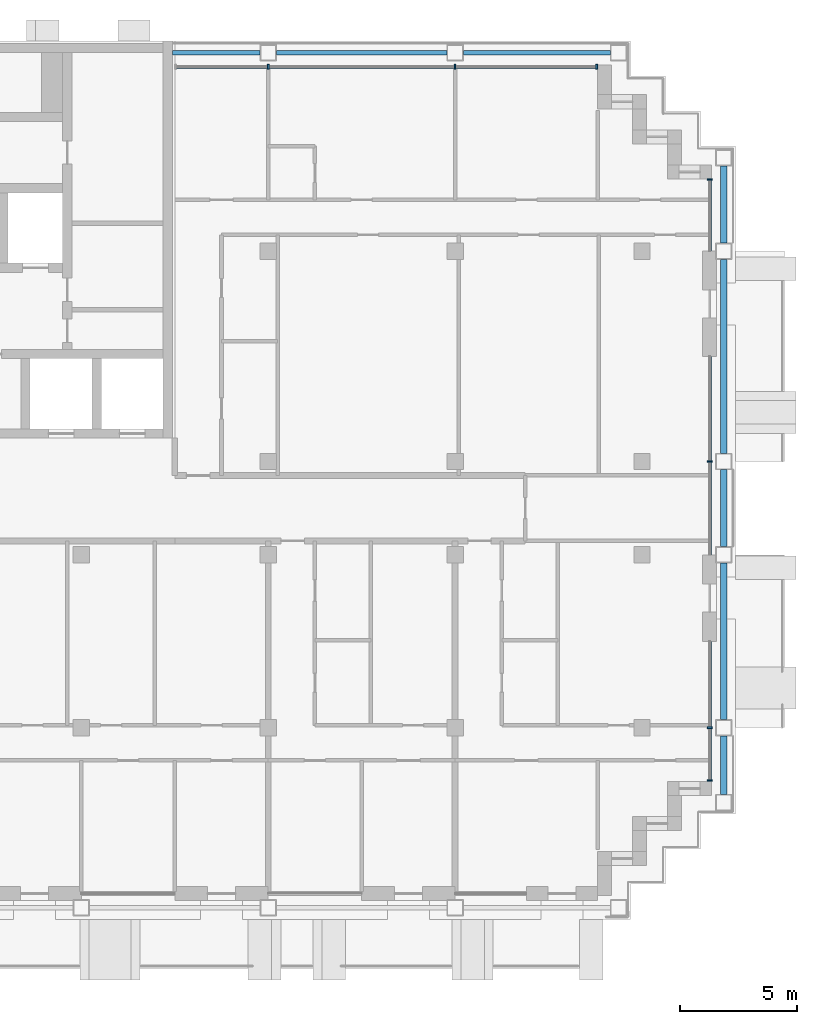
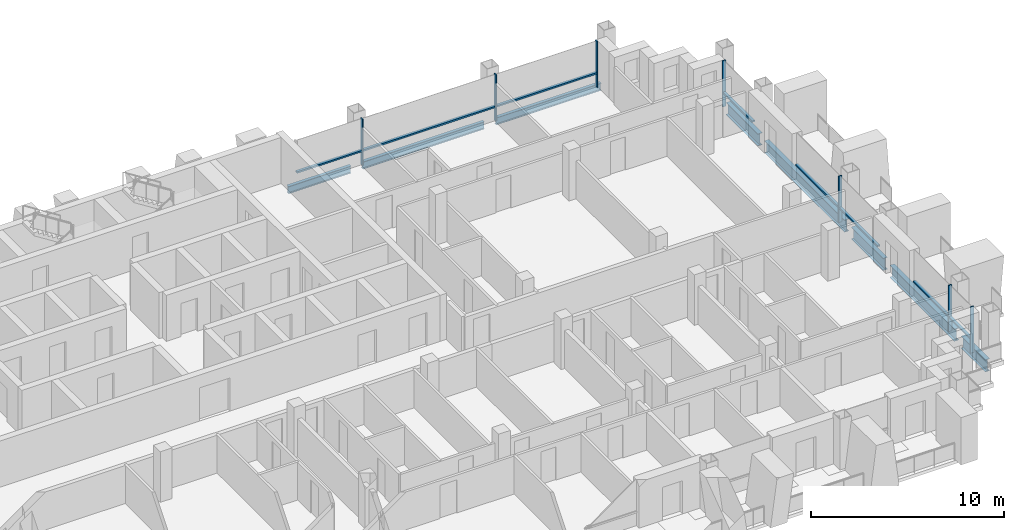
# One storey, part 5 of 16: 15 members, 8 beams, 4 elements without a shape of their own.
"""IFC4 building model written with IfcOpenShell, lengths in metres."""

from ifc_helpers import new_model, si_unit, direction, frame, origin, origin_2d, place, context, subcontext, project, spatial, rectangle, i_section, extrude, material, material_profile, profile_set, type_object, element, aggregate, save


model = new_model("IFC4")

# Units and contexts
model_context = context("Model", 3, precision=1e-05, world=origin(), true_north=direction((0.0, 1.0)))
body_context = subcontext(model_context, "Body", "Model", "MODEL_VIEW")
ifc_project = project(units=[si_unit("LENGTHUNIT", "METRE"), si_unit("AREAUNIT", "SQUARE_METRE"), si_unit("VOLUMEUNIT", "CUBIC_METRE"), si_unit("PLANEANGLEUNIT", "RADIAN"), si_unit("MASSUNIT", "GRAM", prefix="KILO")], contexts=[model_context])

# Site, building, storey
site_placement = place(None, origin())
site = spatial("IfcSite", under=ifc_project, at=site_placement, CompositionType="ELEMENT")
building_placement = place(site_placement, origin())
building = spatial("IfcBuilding", under=site, at=building_placement, Name="Vidyagriha Tower", CompositionType="ELEMENT")
storey_placement = place(building_placement, frame((0.0, 0.0, 174.89990234375)))
storey = spatial("IfcBuildingStorey", under=building, at=storey_placement, Name="L45", CompositionType="ELEMENT", Elevation=174.89990234375)

# Beams
ifc_material_1 = material(Name="Steel ASTM A992 Grade 50", Category="steel")
ifc_material_profile_1 = material_profile(ifc_material_1, i_section(OverallWidth=0.2666015625, OverallDepth=0.76953125, WebThickness=0.015625, FlangeThickness=0.025390625, at=origin_2d()), Name="W30X132")
ifc_profile_set_1 = profile_set([ifc_material_profile_1], Name="Steel ASTM A992 Grade 50")
beam_type_1 = type_object("IfcBeamType", Name="Cantilever edge beam W30X132", PredefinedType="SPANDREL", material=ifc_profile_set_1)
beam_1_placement = place(storey_placement, frame((37.5, -12.25, -0.664794921875), z_axis=(0.0, 1.0, 0.0), x_axis=(-1.0, 0.0, 0.0)))
element("IfcBeam", 1, at=beam_1_placement, inside=storey, type_object=beam_type_1, Name="st-beam-L45-E13", PredefinedType="SPANDREL", context=body_context, shape_type="SweptSolid", body=[
    extrude(i_section(OverallWidth=0.2666015625, OverallDepth=0.76953125, WebThickness=0.015625, FlangeThickness=0.025390625, at=origin_2d()), origin(), (0.0, 0.0, 1.0), 2.5),
])
beam_2_placement = place(storey_placement, frame((37.5, -9.050048828125, -0.664794921875), z_axis=(0.0, 1.0, 0.0), x_axis=(-1.0, 0.0, 0.0)))
element("IfcBeam", 2, at=beam_2_placement, inside=storey, type_object=beam_type_1, Name="st-beam-L45-E14", PredefinedType="SPANDREL", context=body_context, shape_type="SweptSolid", body=[
    extrude(i_section(OverallWidth=0.2666015625, OverallDepth=0.76953125, WebThickness=0.015625, FlangeThickness=0.025390625, at=origin_2d()), origin(), (0.0, 0.0, 1.0), 6.699951171875),
])
beam_3_placement = place(storey_placement, frame((37.5, -1.64990234375, -0.664794921875), z_axis=(0.0, 1.0, 0.0), x_axis=(-1.0, 0.0, 0.0)))
element("IfcBeam", 3, at=beam_3_placement, inside=storey, type_object=beam_type_1, Name="st-beam-L45-E15", PredefinedType="SPANDREL", context=body_context, shape_type="SweptSolid", body=[
    extrude(i_section(OverallWidth=0.2666015625, OverallDepth=0.76953125, WebThickness=0.015625, FlangeThickness=0.025390625, at=origin_2d()), origin(), (0.0, 0.0, 1.0), 3.2998046875),
])
beam_4_placement = place(storey_placement, frame((37.5, 2.35009765625, -0.664794921875), z_axis=(0.0, 1.0, 0.0), x_axis=(-1.0, 0.0, 0.0)))
element("IfcBeam", 4, at=beam_4_placement, inside=storey, type_object=beam_type_1, Name="st-beam-L45-E16", PredefinedType="SPANDREL", context=body_context, shape_type="SweptSolid", body=[
    extrude(i_section(OverallWidth=0.2666015625, OverallDepth=0.76953125, WebThickness=0.015625, FlangeThickness=0.025390625, at=origin_2d()), origin(), (0.0, 0.0, 1.0), 8.2998046875),
])
beam_5_placement = place(storey_placement, frame((37.5, 11.35009765625, -0.664794921875), z_axis=(0.0, 1.0, 0.0), x_axis=(-1.0, 0.0, 0.0)))
element("IfcBeam", 5, at=beam_5_placement, inside=storey, type_object=beam_type_1, Name="st-beam-L45-E17", PredefinedType="SPANDREL", context=body_context, shape_type="SweptSolid", body=[
    extrude(i_section(OverallWidth=0.2666015625, OverallDepth=0.76953125, WebThickness=0.015625, FlangeThickness=0.025390625, at=origin_2d()), origin(), (0.0, 0.0, 1.0), 3.2998046875),
])
ifc_material_2 = material(Name="Steel ASTM A992 Grade 50", Category="steel")
ifc_material_profile_2 = material_profile(ifc_material_2, i_section(OverallWidth=0.19189453125, OverallDepth=0.46240234375, WebThickness=0.010498046875, FlangeThickness=0.017578125, at=origin_2d()), Name="W18X60")
ifc_profile_set_2 = profile_set([ifc_material_profile_2], Name="Steel ASTM A992 Grade 50")
beam_type_2 = type_object("IfcBeamType", Name="Edge beam W18X60", PredefinedType="SPANDREL", material=ifc_profile_set_2)
beam_6_placement = place(storey_placement, frame((18.35009765625, 19.5, -0.510986328125), z_axis=(1.0, 0.0, 0.0), x_axis=(0.0, 1.0, 0.0)))
element("IfcBeam", 6, at=beam_6_placement, inside=storey, type_object=beam_type_2, Name="st-beam-L45-NE18", PredefinedType="SPANDREL", context=body_context, shape_type="SweptSolid", body=[
    extrude(i_section(OverallWidth=0.19189453125, OverallDepth=0.46240234375, WebThickness=0.010498046875, FlangeThickness=0.017578125, at=origin_2d()), origin(), (0.0, 0.0, 1.0), 7.2998046875),
])
beam_7_placement = place(storey_placement, frame((26.35009765625, 19.5, -0.510986328125), z_axis=(1.0, 0.0, 0.0), x_axis=(0.0, 1.0, 0.0)))
element("IfcBeam", 7, at=beam_7_placement, inside=storey, type_object=beam_type_2, Name="st-beam-L45-NE19", PredefinedType="SPANDREL", context=body_context, shape_type="SweptSolid", body=[
    extrude(i_section(OverallWidth=0.19189453125, OverallDepth=0.46240234375, WebThickness=0.010498046875, FlangeThickness=0.017578125, at=origin_2d()), origin(), (0.0, 0.0, 1.0), 6.2998046875),
])
beam_8_placement = place(storey_placement, frame((13.89990234375, 19.5, -0.510986328125), z_axis=(1.0, 0.0, 0.0), x_axis=(0.0, 1.0, 0.0)))
element("IfcBeam", 8, at=beam_8_placement, inside=storey, type_object=beam_type_2, Name="st-beam-L45-NC21", PredefinedType="SPANDREL", context=body_context, shape_type="SweptSolid", body=[
    extrude(i_section(OverallWidth=0.19189453125, OverallDepth=0.46240234375, WebThickness=0.010498046875, FlangeThickness=0.017578125, at=origin_2d()), origin(), (0.0, 0.0, 1.0), 3.75),
])

# Curtain wall, members
ifc_material_3 = material(Name="Aluminium and glass curtain wall", Category="aluminium")
curtain_wall_type = type_object("IfcCurtainWallType", Name="Dwelling skin unitised curtain wall", PredefinedType="USERDEFINED", material=ifc_material_3)
curtain_wall_1_placement = place(storey_placement, origin())
curtain_wall_1 = element("IfcCurtainWall", 9, at=curtain_wall_1_placement, inside=storey, type_object=curtain_wall_type, Name="CW1 dwelling skin", ObjectType="UNITISED", PredefinedType="USERDEFINED")
ifc_material_4 = material(Name="Aluminium black anodised", Category="aluminium")
ifc_material_profile_3 = material_profile(ifc_material_4, rectangle(XDim=0.199951171875, YDim=0.070068359375, at=origin_2d()), Name="Mullion 70x200 black aluminium")
ifc_profile_set_3 = profile_set([ifc_material_profile_3], Name="Aluminium black anodised")
member_type_1 = type_object("IfcMemberType", Name="Mullion 70x200 black aluminium", PredefinedType="MULLION", material=ifc_profile_set_3)
member_1_placement = place(storey_placement, frame((32.06494140625, 18.89990234375, 0.0), z_axis=(0.0, 0.0, 1.0), x_axis=(0.0, -1.0, 0.0)))
member_1 = element("IfcMember", 10, at=member_1_placement, type_object=member_type_1, Name="CW1 mullion 1", PredefinedType="MULLION", context=body_context, shape_type="SweptSolid", body=[
    extrude(rectangle(XDim=0.199951171875, YDim=0.070068359375, at=origin_2d()), origin(), (0.0, 0.0, 1.0), 2.920166015625),
])
member_2_placement = place(storey_placement, frame((26.0, 18.89990234375, 0.0), z_axis=(0.0, 0.0, 1.0), x_axis=(0.0, -1.0, 0.0)))
member_2 = element("IfcMember", 11, at=member_2_placement, type_object=member_type_1, Name="CW1 mullion 2", PredefinedType="MULLION", context=body_context, shape_type="SweptSolid", body=[
    extrude(rectangle(XDim=0.199951171875, YDim=0.070068359375, at=origin_2d()), origin(), (0.0, 0.0, 1.0), 2.920166015625),
])
member_3_placement = place(storey_placement, frame((18.0, 18.89990234375, 0.0), z_axis=(0.0, 0.0, 1.0), x_axis=(0.0, -1.0, 0.0)))
member_3 = element("IfcMember", 12, at=member_3_placement, type_object=member_type_1, Name="CW1 mullion 3", PredefinedType="MULLION", context=body_context, shape_type="SweptSolid", body=[
    extrude(rectangle(XDim=0.199951171875, YDim=0.070068359375, at=origin_2d()), origin(), (0.0, 0.0, 1.0), 2.920166015625),
])

curtain_wall_2_placement = place(storey_placement, origin())
curtain_wall_2 = element("IfcCurtainWall", 13, at=curtain_wall_2_placement, inside=storey, type_object=curtain_wall_type, Name="CW1 dwelling skin", ObjectType="UNITISED", PredefinedType="USERDEFINED")
member_4_placement = place(storey_placement, frame((36.89990234375, -11.6650390625, 0.0), z_axis=(0.0, 0.0, 1.0), x_axis=(-1.0, 0.0, 0.0)))
member_4 = element("IfcMember", 14, at=member_4_placement, type_object=member_type_1, Name="CW1 mullion 1", PredefinedType="MULLION", context=body_context, shape_type="SweptSolid", body=[
    extrude(rectangle(XDim=0.199951171875, YDim=0.070068359375, at=origin_2d()), origin(), (0.0, 0.0, 1.0), 2.920166015625),
])
member_5_placement = place(storey_placement, frame((36.89990234375, -9.39990234375, 0.0), z_axis=(0.0, 0.0, 1.0), x_axis=(-1.0, 0.0, 0.0)))
member_5 = element("IfcMember", 15, at=member_5_placement, type_object=member_type_1, Name="CW1 mullion 2", PredefinedType="MULLION", context=body_context, shape_type="SweptSolid", body=[
    extrude(rectangle(XDim=0.199951171875, YDim=0.070068359375, at=origin_2d()), origin(), (0.0, 0.0, 1.0), 2.920166015625),
])

# Curtain wall, member
curtain_wall_3_placement = place(storey_placement, origin())
curtain_wall_3 = element("IfcCurtainWall", 16, at=curtain_wall_3_placement, inside=storey, type_object=curtain_wall_type, Name="CW1 dwelling skin", ObjectType="UNITISED", PredefinedType="USERDEFINED")
member_6_placement = place(storey_placement, frame((36.89990234375, 2.0, 0.0), z_axis=(0.0, 0.0, 1.0), x_axis=(-1.0, 0.0, 0.0)))
member_6 = element("IfcMember", 17, at=member_6_placement, type_object=member_type_1, Name="CW1 mullion 2", PredefinedType="MULLION", context=body_context, shape_type="SweptSolid", body=[
    extrude(rectangle(XDim=0.199951171875, YDim=0.070068359375, at=origin_2d()), origin(), (0.0, 0.0, 1.0), 2.920166015625),
])

curtain_wall_4_placement = place(storey_placement, origin())
curtain_wall_4 = element("IfcCurtainWall", 18, at=curtain_wall_4_placement, inside=storey, type_object=curtain_wall_type, Name="CW1 dwelling skin", ObjectType="UNITISED", PredefinedType="USERDEFINED")
member_7_placement = place(storey_placement, frame((36.89990234375, 14.06494140625, 0.0), z_axis=(0.0, 0.0, 1.0), x_axis=(-1.0, 0.0, 0.0)))
member_7 = element("IfcMember", 19, at=member_7_placement, type_object=member_type_1, Name="CW1 mullion 2", PredefinedType="MULLION", context=body_context, shape_type="SweptSolid", body=[
    extrude(rectangle(XDim=0.199951171875, YDim=0.070068359375, at=origin_2d()), origin(), (0.0, 0.0, 1.0), 2.920166015625),
])

# Member
ifc_material_5 = material(Name="Aluminium black anodised", Category="aluminium")
ifc_material_profile_4 = material_profile(ifc_material_5, rectangle(XDim=0.159912109375, YDim=0.10009765625, at=origin_2d()), Name="Transom 100x160 black aluminium")
ifc_profile_set_4 = profile_set([ifc_material_profile_4], Name="Aluminium black anodised")
member_type_2 = type_object("IfcMemberType", Name="Transom 100x160 black aluminium", PredefinedType="USERDEFINED", material=ifc_profile_set_4)
member_8_placement = place(storey_placement, frame((32.030029296875, 18.89990234375, 0.900146484375), z_axis=(-1.0, 0.0, 0.0), x_axis=(0.0, -1.0, 0.0)))
member_8 = element("IfcMember", 20, at=member_8_placement, type_object=member_type_2, Name="CW1 transom 1.1", ObjectType="TRANSOM", PredefinedType="USERDEFINED", context=body_context, shape_type="SweptSolid", body=[
    extrude(rectangle(XDim=0.159912109375, YDim=0.10009765625, at=origin_2d()), origin(), (0.0, 0.0, 1.0), 5.9951171875),
])

member_9_placement = place(storey_placement, frame((25.965087890625, 18.89990234375, 0.900146484375), z_axis=(-1.0, 0.0, 0.0), x_axis=(0.0, -1.0, 0.0)))
member_9 = element("IfcMember", 21, at=member_9_placement, type_object=member_type_2, Name="CW1 transom 2.1", ObjectType="TRANSOM", PredefinedType="USERDEFINED", context=body_context, shape_type="SweptSolid", body=[
    extrude(rectangle(XDim=0.159912109375, YDim=0.10009765625, at=origin_2d()), origin(), (0.0, 0.0, 1.0), 7.93017578125),
])

member_10_placement = place(storey_placement, frame((17.965087890625, 18.89990234375, 0.900146484375), z_axis=(-1.0, 0.0, 0.0), x_axis=(0.0, -1.0, 0.0)))
member_10 = element("IfcMember", 22, at=member_10_placement, type_object=member_type_2, Name="CW1 transom 3.1", ObjectType="TRANSOM", PredefinedType="USERDEFINED", context=body_context, shape_type="SweptSolid", body=[
    extrude(rectangle(XDim=0.159912109375, YDim=0.10009765625, at=origin_2d()), origin(), (0.0, 0.0, 1.0), 3.89501953125),
])

aggregate(curtain_wall_1, [member_1, member_2, member_3, member_8, member_9, member_10])

member_11_placement = place(storey_placement, frame((36.89990234375, -11.6298828125, 0.900146484375), z_axis=(0.0, 1.0, 0.0), x_axis=(-1.0, 0.0, 0.0)))
member_11 = element("IfcMember", 23, at=member_11_placement, type_object=member_type_2, Name="CW1 transom 1.1", ObjectType="TRANSOM", PredefinedType="USERDEFINED", context=body_context, shape_type="SweptSolid", body=[
    extrude(rectangle(XDim=0.159912109375, YDim=0.10009765625, at=origin_2d()), origin(), (0.0, 0.0, 1.0), 2.19482421875),
])

member_12_placement = place(storey_placement, frame((36.89990234375, -9.364990234375, 0.900146484375), z_axis=(0.0, 1.0, 0.0), x_axis=(-1.0, 0.0, 0.0)))
member_12 = element("IfcMember", 24, at=member_12_placement, type_object=member_type_2, Name="CW1 transom 2.1", ObjectType="TRANSOM", PredefinedType="USERDEFINED", context=body_context, shape_type="SweptSolid", body=[
    extrude(rectangle(XDim=0.159912109375, YDim=0.10009765625, at=origin_2d()), origin(), (0.0, 0.0, 1.0), 3.6650390625),
])

aggregate(curtain_wall_2, [member_4, member_5, member_11, member_12])

member_13_placement = place(storey_placement, frame((36.89990234375, -2.0, 0.900146484375), z_axis=(0.0, 1.0, 0.0), x_axis=(-1.0, 0.0, 0.0)))
member_13 = element("IfcMember", 25, at=member_13_placement, type_object=member_type_2, Name="CW1 transom 1.1", ObjectType="TRANSOM", PredefinedType="USERDEFINED", context=body_context, shape_type="SweptSolid", body=[
    extrude(rectangle(XDim=0.159912109375, YDim=0.10009765625, at=origin_2d()), origin(), (0.0, 0.0, 1.0), 3.965087890625),
])

member_14_placement = place(storey_placement, frame((36.89990234375, 2.034912109375, 0.900146484375), z_axis=(0.0, 1.0, 0.0), x_axis=(-1.0, 0.0, 0.0)))
member_14 = element("IfcMember", 26, at=member_14_placement, type_object=member_type_2, Name="CW1 transom 2.1", ObjectType="TRANSOM", PredefinedType="USERDEFINED", context=body_context, shape_type="SweptSolid", body=[
    extrude(rectangle(XDim=0.159912109375, YDim=0.10009765625, at=origin_2d()), origin(), (0.0, 0.0, 1.0), 4.465087890625),
])

aggregate(curtain_wall_3, [member_6, member_13, member_14])

member_15_placement = place(storey_placement, frame((36.89990234375, 11.0, 0.900146484375), z_axis=(0.0, 1.0, 0.0), x_axis=(-1.0, 0.0, 0.0)))
member_15 = element("IfcMember", 27, at=member_15_placement, type_object=member_type_2, Name="CW1 transom 1.1", ObjectType="TRANSOM", PredefinedType="USERDEFINED", context=body_context, shape_type="SweptSolid", body=[
    extrude(rectangle(XDim=0.159912109375, YDim=0.10009765625, at=origin_2d()), origin(), (0.0, 0.0, 1.0), 3.030029296875),
])

aggregate(curtain_wall_4, [member_7, member_15])

save(model, "model.ifc")
